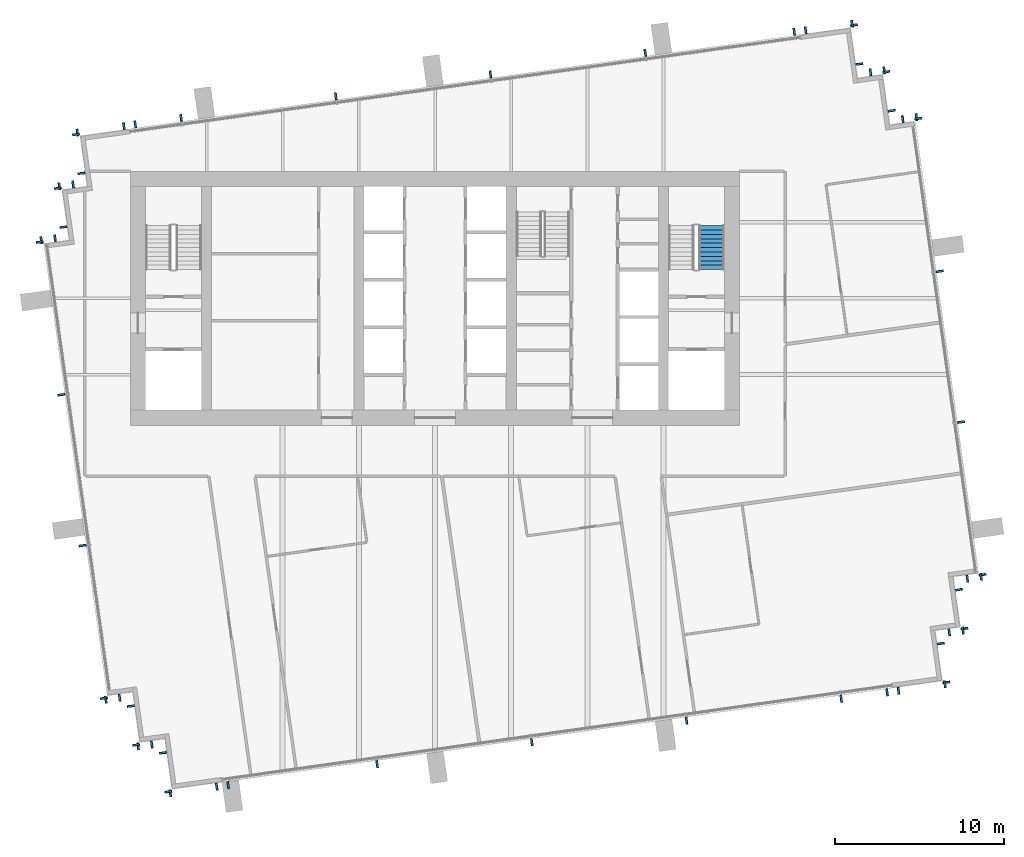
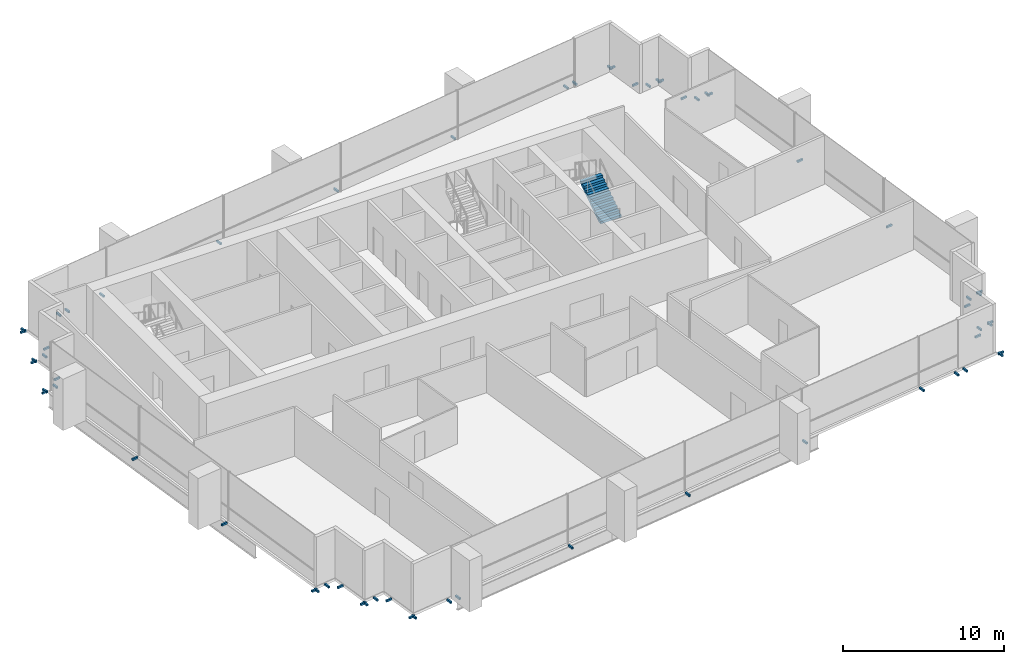
# One storey, part 12 of 13: 60 discrete accessories, 1 stair flight, 1 element without a shape of its own.
"""IFC4 building model written with IfcOpenShell, lengths in metres."""

from ifc_helpers import new_model, si_unit, direction, frame, origin, origin_2d, place, context, subcontext, project, spatial, polyline, rectangle, outline, extrude, material, type_object, element, aggregate, save


model = new_model("IFC4")

# Units and contexts
model_context = context("Model", 3, precision=1e-05, world=origin(), true_north=direction((0.0, 1.0)))
body_context = subcontext(model_context, "Body", "Model", "MODEL_VIEW")
ifc_project = project(units=[si_unit("LENGTHUNIT", "METRE"), si_unit("AREAUNIT", "SQUARE_METRE"), si_unit("VOLUMEUNIT", "CUBIC_METRE"), si_unit("PLANEANGLEUNIT", "RADIAN"), si_unit("MASSUNIT", "GRAM", prefix="KILO")], contexts=[model_context])

# Site, building, storey
site_placement = place(None, origin())
site = spatial("IfcSite", under=ifc_project, at=site_placement, CompositionType="ELEMENT")
building_placement = place(site_placement, origin())
building = spatial("IfcBuilding", under=site, at=building_placement, Name="Rattan Terrace Tower", CompositionType="ELEMENT")
storey_placement = place(building_placement, frame((0.0, 0.0, 240.800048828125)))
storey = spatial("IfcBuildingStorey", under=building, at=storey_placement, Name="L55", CompositionType="ELEMENT", Elevation=240.800048828125)

# Stair, stair flight
ifc_material_1 = material(Name="Concrete C40/50", Category="concrete")
stair_type = type_object("IfcStairType", Name="Core exit stair 1500", PredefinedType="HALF_TURN_STAIR", material=ifc_material_1)
stair_placement = place(storey_placement, origin())
stair = element("IfcStair", 1, at=stair_placement, inside=storey, type_object=stair_type, Name="L55 exit stair 2", PredefinedType="HALF_TURN_STAIR")
ifc_material_2 = material(Name="Concrete C40/50", Category="concrete")
stair_flight_type = type_object("IfcStairFlightType", Name="Core exit stair flight 1500", PredefinedType="STRAIGHT", material=ifc_material_2)
stair_flight_placement = place(storey_placement, frame((16.35009765625, 1.699951171875, 0.0), z_axis=(0.0, 0.0, 1.0), x_axis=(0.0, 1.0, 0.0)))
stair_flight = element("IfcStairFlight", 2, at=stair_flight_placement, type_object=stair_flight_type, Name="S2 flight 1", NumberOfRisers=11, NumberOfTreads=10, PredefinedType="STRAIGHT", RiserHeight=0.177272727, TreadLength=0.26, context=body_context, shape_type="SweptSolid", body=[
    extrude(outline(polyline([(0.0, 0.0), (0.0, 0.17724609375), (0.260009765625, 0.17724609375), (0.260009765625, 0.3544921875), (0.52001953125, 0.3544921875), (0.52001953125, 0.53173828125), (0.780029296875, 0.53173828125), (0.780029296875, 0.708984375), (1.0400390625, 0.708984375), (1.0400390625, 0.886474609375), (1.300048828125, 0.886474609375), (1.300048828125, 1.063720703125), (1.56005859375, 1.063720703125), (1.56005859375, 1.240966796875), (1.820068359375, 1.240966796875), (1.820068359375, 1.418212890625), (2.080078125, 1.418212890625), (2.080078125, 1.595458984375), (2.340087890625, 1.595458984375), (2.340087890625, 1.772705078125), (2.60009765625, 1.772705078125), (2.60009765625, 1.949951171875), (2.60009765625, 1.59130859375), (0.26611328125, 0.0), (0.0, 0.0)])), frame((0.0, 0.75, 0.0), z_axis=(0.0, -1.0, 0.0), x_axis=(1.0, 0.0, 0.0)), (0.0, 0.0, 1.0), 1.5),
])
aggregate(stair, [stair_flight])

# Discrete accessories
for number, where, z_axis, x_axis, name in (
    (3, (27.385009765625, -23.1875, -0.169921875), (0.0, 0.0, 1.0), (0.990247240581, 0.139321220646, 0.0), "Panel bracket L55-1"),
    (4, (30.1279296875, -22.8017578125, -0.169921875), (0.0, 0.0, 1.0), (0.990247240581, 0.139321220646, 0.0), "Panel bracket L55-2"),
    (5, (30.213134765625, -22.6884765625, -0.169921875), (0.0, 0.0, 1.0), (-0.138994363123, 0.990293172258, 0.0), "Panel bracket L55-3"),
    (6, (29.890869140625, -20.391357421875, -0.169921875), (0.0, 0.0, 1.0), (-0.138994363123, 0.990293172258, 0.0), "Panel bracket L55-4"),
    (7, (30.384521484375, -19.736328125, -0.169921875), (0.0, 0.0, 1.0), (0.990332587523, 0.138713251317, 0.0), "Panel bracket L55-5"),
    (8, (31.1962890625, -19.62255859375, -0.169921875), (0.0, 0.0, 1.0), (0.990332587523, 0.138713251317, 0.0), "Panel bracket L55-6"),
    (9, (31.28125, -19.510009765625, -0.169921875), (0.0, 0.0, 1.0), (-0.139321220646, 0.990247240581, 0.0), "Panel bracket L55-7"),
    (10, (30.9580078125, -17.212158203125, -0.169921875), (0.0, 0.0, 1.0), (-0.139321220646, 0.990247240581, 0.0), "Panel bracket L55-8"),
    (11, (31.45166015625, -16.556884765625, -0.169921875), (0.0, 0.0, 1.0), (0.99025370695, 0.139275252184, 0.0), "Panel bracket L55-9"),
    (12, (32.26416015625, -16.442626953125, -0.169921875), (0.0, 0.0, 1.0), (0.99025370695, 0.139275252184, 0.0), "Panel bracket L55-10"),
    (13, (32.349365234375, -16.32958984375, -0.169921875), (0.0, 0.0, 1.0), (-0.139186165309, 0.990266232579, 0.0), "Panel bracket L55-11"),
    (14, (31.081298828125, -7.308349609375, -0.169921875), (0.0, 0.0, 1.0), (-0.139186165309, 0.990266232579, 0.0), "Panel bracket L55-12"),
    (15, (29.82861328125, 1.60400390625, -0.169921875), (0.0, 0.0, 1.0), (-0.139186165309, 0.990266232579, 0.0), "Panel bracket L55-13"),
    (16, (28.560546875, 10.625244140625, -0.169921875), (0.0, 0.0, 1.0), (-0.139186165309, 0.990266232579, 0.0), "Panel bracket L55-14"),
    (17, (28.44775390625, 10.710205078125, -0.169921875), (0.0, 0.0, 1.0), (-0.990240767803, -0.139367219175, 0.0), "Panel bracket L55-15"),
    (18, (27.635986328125, 10.595947265625, -0.169921875), (0.0, 0.0, 1.0), (-0.990240767803, -0.139367219175, 0.0), "Panel bracket L55-16"),
    (19, (26.98095703125, 11.089599609375, -0.169921875), (0.0, 0.0, 1.0), (-0.139321220646, 0.990247240581, 0.0), "Panel bracket L55-17"),
    (20, (26.65771484375, 13.38720703125, -0.169921875), (0.0, 0.0, 1.0), (-0.139321220646, 0.990247240581, 0.0), "Panel bracket L55-18"),
    (21, (26.544677734375, 13.47216796875, -0.169921875), (0.0, 0.0, 1.0), (-0.990240767803, -0.139367219175, 0.0), "Panel bracket L55-19"),
    (22, (25.733154296875, 13.358154296875, -0.169921875), (0.0, 0.0, 1.0), (-0.990240767803, -0.139367219175, 0.0), "Panel bracket L55-20"),
    (23, (25.077880859375, 13.8515625, -0.169921875), (0.0, 0.0, 1.0), (-0.139321220646, 0.990247240581, 0.0), "Panel bracket L55-21"),
    (24, (24.754638671875, 16.14892578125, -0.169921875), (0.0, 0.0, 1.0), (-0.139321220646, 0.990247240581, 0.0), "Panel bracket L55-22"),
    (25, (24.6416015625, 16.234130859375, -0.169921875), (0.0, 0.0, 1.0), (-0.990293172258, -0.138994363123, 0.0), "Panel bracket L55-23"),
    (26, (21.8984375, 15.84912109375, -0.169921875), (0.0, 0.0, 1.0), (-0.990293172258, -0.138994363123, 0.0), "Panel bracket L55-24"),
    (27, (21.22509765625, 15.754638671875, -0.169921875), (0.0, 0.0, 1.0), (-0.990267457022, -0.139177453499, 0.0), "Panel bracket L55-25"),
    (28, (12.420654296875, 14.517333984375, -0.169921875), (0.0, 0.0, 1.0), (-0.990267457022, -0.139177453499, 0.0), "Panel bracket L55-26"),
    (29, (3.279541015625, 13.232421875, -0.169921875), (0.0, 0.0, 1.0), (-0.990267457022, -0.139177453499, 0.0), "Panel bracket L55-27"),
    (30, (-5.861572265625, 11.94775390625, -0.169921875), (0.0, 0.0, 1.0), (-0.990267457022, -0.139177453499, 0.0), "Panel bracket L55-28"),
    (31, (-15.0029296875, 10.6630859375, -0.169921875), (0.0, 0.0, 1.0), (-0.990267457022, -0.139177453499, 0.0), "Panel bracket L55-29"),
    (32, (-17.711669921875, 10.2822265625, -0.169921875), (0.0, 0.0, 1.0), (-0.990267457022, -0.139177453499, 0.0), "Panel bracket L55-30"),
    (33, (-18.385009765625, 10.1875, -0.169921875), (0.0, 0.0, 1.0), (-0.990247240581, -0.139321220646, 0.0), "Panel bracket L55-31"),
    (34, (-21.1279296875, 9.8017578125, -0.169921875), (0.0, 0.0, 1.0), (-0.990247240581, -0.139321220646, 0.0), "Panel bracket L55-32"),
    (35, (-21.213134765625, 9.6884765625, -0.169921875), (0.0, 0.0, 1.0), (0.138994363123, -0.990293172258, 0.0), "Panel bracket L55-33"),
    (36, (-20.890869140625, 7.391357421875, -0.169921875), (0.0, 0.0, 1.0), (0.138994363123, -0.990293172258, 0.0), "Panel bracket L55-34"),
    (37, (-21.384521484375, 6.736328125, -0.169921875), (0.0, 0.0, 1.0), (-0.990332587523, -0.138713251317, 0.0), "Panel bracket L55-35"),
    (38, (-22.1962890625, 6.62255859375, -0.169921875), (0.0, 0.0, 1.0), (-0.990332587523, -0.138713251317, 0.0), "Panel bracket L55-36"),
    (39, (-22.28125, 6.510009765625, -0.169921875), (0.0, 0.0, 1.0), (0.139321220646, -0.990247240581, 0.0), "Panel bracket L55-37"),
    (40, (-21.9580078125, 4.212158203125, -0.169921875), (0.0, 0.0, 1.0), (0.139321220646, -0.990247240581, 0.0), "Panel bracket L55-38"),
    (41, (-22.45166015625, 3.556884765625, -0.169921875), (0.0, 0.0, 1.0), (-0.99025370695, -0.139275252184, 0.0), "Panel bracket L55-39"),
    (42, (-23.26416015625, 3.442626953125, -0.169921875), (0.0, 0.0, 1.0), (-0.99025370695, -0.139275252184, 0.0), "Panel bracket L55-40"),
    (43, (-23.349365234375, 3.32958984375, -0.169921875), (0.0, 0.0, 1.0), (0.139186165309, -0.990266232579, 0.0), "Panel bracket L55-41"),
    (44, (-22.081298828125, -5.691650390625, -0.169921875), (0.0, 0.0, 1.0), (0.139186165309, -0.990266232579, 0.0), "Panel bracket L55-42"),
    (45, (-20.82861328125, -14.60400390625, -0.169921875), (0.0, 0.0, 1.0), (0.139186165309, -0.990266232579, 0.0), "Panel bracket L55-43"),
    (46, (-19.560546875, -23.625244140625, -0.169921875), (0.0, 0.0, 1.0), (0.139186165309, -0.990266232579, 0.0), "Panel bracket L55-44"),
    (47, (-19.44775390625, -23.710205078125, -0.169921875), (0.0, 0.0, 1.0), (0.990240767803, 0.139367219175, 0.0), "Panel bracket L55-45"),
    (48, (-18.635986328125, -23.595947265625, -0.169921875), (0.0, 0.0, 1.0), (0.990240767803, 0.139367219175, 0.0), "Panel bracket L55-46"),
    (49, (-17.98095703125, -24.089599609375, -0.169921875), (0.0, 0.0, 1.0), (0.139321220646, -0.990247240581, 0.0), "Panel bracket L55-47"),
    (50, (-17.65771484375, -26.38720703125, -0.169921875), (0.0, 0.0, 1.0), (0.139321220646, -0.990247240581, 0.0), "Panel bracket L55-48"),
    (51, (-17.544677734375, -26.47216796875, -0.169921875), (0.0, 0.0, 1.0), (0.990240767803, 0.139367219175, 0.0), "Panel bracket L55-49"),
    (52, (-16.733154296875, -26.358154296875, -0.169921875), (0.0, 0.0, 1.0), (0.990240767803, 0.139367219175, 0.0), "Panel bracket L55-50"),
    (53, (-16.077880859375, -26.8515625, -0.169921875), (0.0, 0.0, 1.0), (0.139321220646, -0.990247240581, 0.0), "Panel bracket L55-51"),
    (54, (-15.754638671875, -29.14892578125, -0.169921875), (0.0, 0.0, 1.0), (0.139321220646, -0.990247240581, 0.0), "Panel bracket L55-52"),
    (55, (-15.6416015625, -29.234130859375, -0.169921875), (0.0, 0.0, 1.0), (0.990293172258, 0.138994363123, 0.0), "Panel bracket L55-53"),
    (56, (-12.8984375, -28.84912109375, -0.169921875), (0.0, 0.0, 1.0), (0.990293172258, 0.138994363123, 0.0), "Panel bracket L55-54"),
    (57, (-12.22509765625, -28.754638671875, -0.169921875), (0.0, 0.0, 1.0), (0.990267457022, 0.139177453499, 0.0), "Panel bracket L55-55"),
    (58, (-3.420654296875, -27.517333984375, -0.169921875), (0.0, 0.0, 1.0), (0.990267457022, 0.139177453499, 0.0), "Panel bracket L55-56"),
    (59, (5.720458984375, -26.232421875, -0.169921875), (0.0, 0.0, 1.0), (0.990267457022, 0.139177453499, 0.0), "Panel bracket L55-57"),
    (60, (14.861572265625, -24.94775390625, -0.169921875), (0.0, 0.0, 1.0), (0.990267457022, 0.139177453499, 0.0), "Panel bracket L55-58"),
    (61, (24.0029296875, -23.6630859375, -0.169921875), (0.0, 0.0, 1.0), (0.990267457022, 0.139177453499, 0.0), "Panel bracket L55-59"),
    (62, (26.711669921875, -23.2822265625, -0.169921875), (0.0, 0.0, 1.0), (0.990267457022, 0.139177453499, 0.0), "Panel bracket L55-60"),
):
    element("IfcDiscreteAccessory", number, at=place(storey_placement, frame(where, z_axis=z_axis, x_axis=x_axis)), inside=storey, Name=name, PredefinedType="BRACKET", context=body_context, shape_type="SweptSolid", body=[
        extrude(rectangle(XDim=0.1201171875, YDim=0.419921875, at=origin_2d()), origin(), (0.0, 0.0, 1.0), 0.139892578125),
    ])

save(model, "model.ifc")
